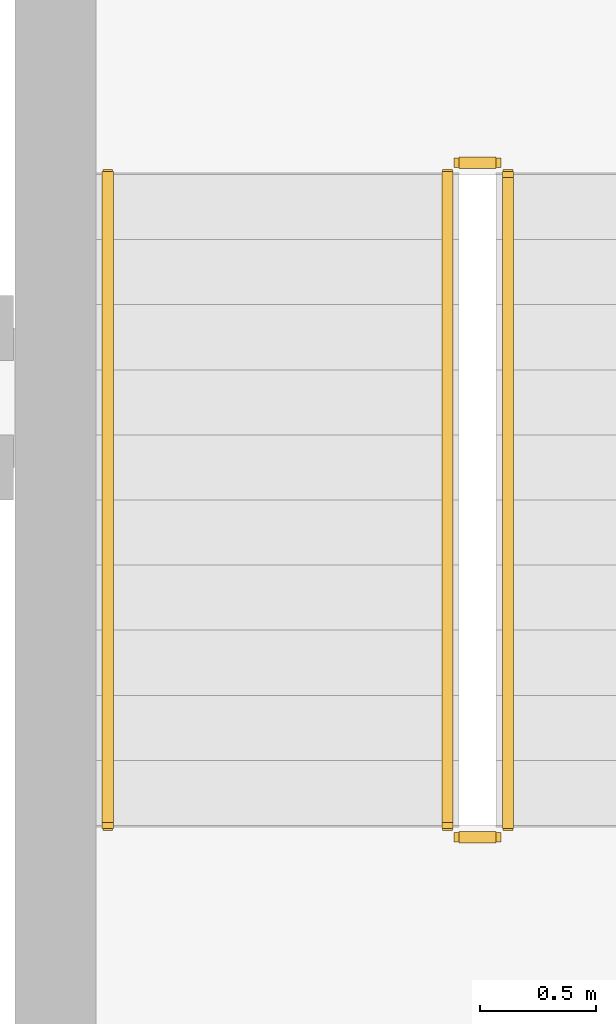
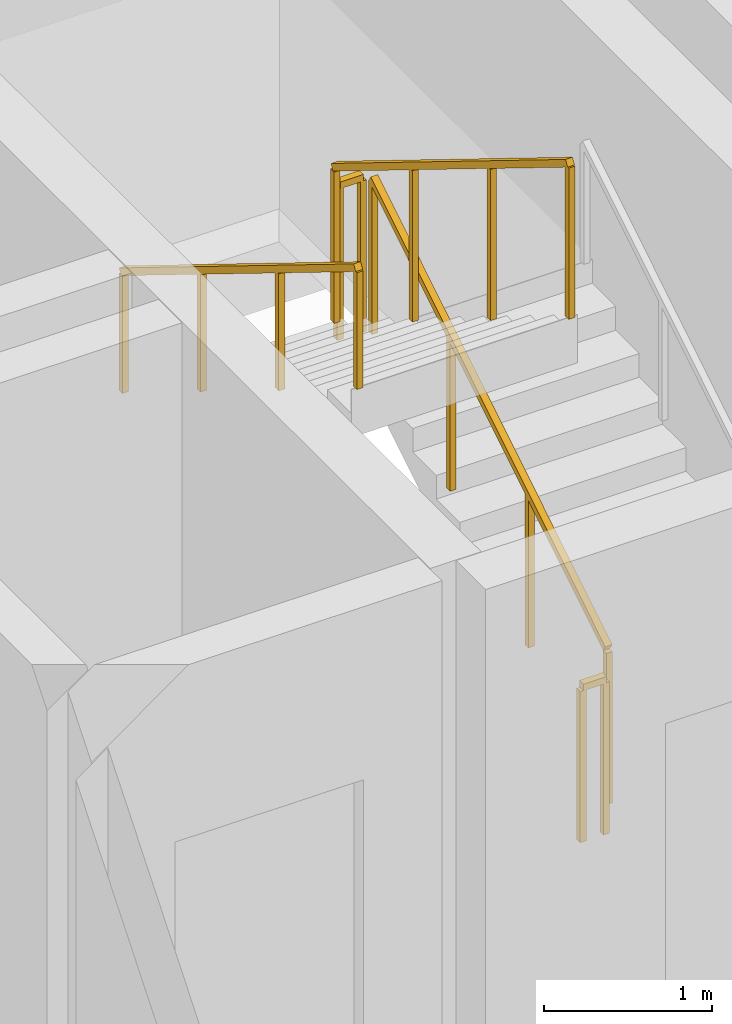
# One storey, part 13 of 14: 5 railings.
"""IFC4 building model written with IfcOpenShell, lengths in metres."""

import ifcopenshell
import ifcopenshell.guid

model = None  # the IFC model being written
_history = None  # IfcOwnerHistory: only IFC2X3 demands one
_inside = {}  # id of a spatial element -> (the spatial element, [elements in it])
_under = {}  # id of a project, library or spatial element -> (it, [spatial elements below it])
_declared = {}  # id of a project -> (the project, [libraries it declares])
_typed = {}  # id of a type object -> (the type object, [elements of that type])
_made_of = {}  # id of a material, layer set ... -> (it, [elements and type objects made of it])


def new_model(schema):
    """Start an empty IFC model of exactly this schema.

    Asked for "IFC4X3", IfcOpenShell would pick the latest addendum, in which some entities
    have other attributes; the version numbers below select the first issue.
    IFC2X3 requires an IfcOwnerHistory on every rooted entity: one is made here for all.
    """
    global model, _history
    if schema == "IFC4X3":
        model = ifcopenshell.file(schema_version=(4, 3, 0, 0))
    else:
        model = ifcopenshell.file(schema=schema)
    _inside.clear()
    _under.clear()
    _declared.clear()
    _typed.clear()
    _made_of.clear()
    _history = None
    if model.schema == "IFC2X3":
        org = make("IfcOrganization", Name="unknown")
        user = make(
            "IfcPersonAndOrganization",
            ThePerson=make("IfcPerson", FamilyName="unknown"),
            TheOrganization=org,
        )
        app = make(
            "IfcApplication",
            ApplicationDeveloper=org,
            Version="unknown",
            ApplicationFullName="unknown",
            ApplicationIdentifier="unknown",
        )
        _history = make(
            "IfcOwnerHistory",
            OwningUser=user,
            OwningApplication=app,
            ChangeAction="ADDED",
            CreationDate=0,
        )
    return model


def make(cls, **values):
    """One entity of the class cls with the attributes given. An attribute that is None is left unset."""
    return model.create_entity(
        cls, **{name: value for name, value in values.items() if value is not None}
    )


def rooted(cls, **values):
    """An entity with a GlobalId (a new one), such as an element, a storey or a relation."""
    return make(cls, GlobalId=ifcopenshell.guid.new(), OwnerHistory=_history, **values)


def si_unit(unit_type, name, prefix=None):
    """IfcSIUnit, for example si_unit("LENGTHUNIT", "METRE", prefix="MILLI")."""
    return make("IfcSIUnit", UnitType=unit_type, Prefix=prefix, Name=name)


def assignment(units):
    """IfcUnitAssignment: the units of a project."""
    return None if units is None else make("IfcUnitAssignment", Units=units)


def point(xyz):
    """IfcCartesianPoint."""
    return None if xyz is None else make("IfcCartesianPoint", Coordinates=xyz)


def direction(xyz):
    """IfcDirection."""
    return None if xyz is None else make("IfcDirection", DirectionRatios=xyz)


def frame(location, z_axis=None, x_axis=None):
    """IfcAxis2Placement3D, a coordinate frame: its origin and axes. An axis left out is left unset."""
    return make(
        "IfcAxis2Placement3D",
        Location=point(location),
        Axis=direction(z_axis),
        RefDirection=direction(x_axis),
    )


def frame_2d(location, x_axis=None):
    """IfcAxis2Placement2D, a coordinate frame in the plane: its origin and x axis."""
    return make(
        "IfcAxis2Placement2D", Location=point(location), RefDirection=direction(x_axis)
    )


def origin():
    """The frame at (0, 0, 0) with its axes left unset."""
    return frame((0.0, 0.0, 0.0))


def origin_2d():
    """The frame at (0, 0) in the plane with its x axis left unset."""
    return frame_2d((0.0, 0.0))


def place(relative_to, where):
    """IfcLocalPlacement: puts the frame where relative to a parent placement (None: the world)."""
    return make(
        "IfcLocalPlacement", PlacementRelTo=relative_to, RelativePlacement=where
    )


def context(
    kind, dimensions, precision=None, world=None, true_north=None, identifier=None
):
    """IfcGeometricRepresentationContext, for example the 3D "Model" context."""
    return make(
        "IfcGeometricRepresentationContext",
        ContextIdentifier=identifier,
        ContextType=kind,
        CoordinateSpaceDimension=dimensions,
        Precision=precision,
        WorldCoordinateSystem=world,
        TrueNorth=true_north,
    )


def subcontext(parent, identifier, kind, view, scale=None):
    """IfcGeometricRepresentationSubContext, for example "Body" below "Model"."""
    return make(
        "IfcGeometricRepresentationSubContext",
        ContextIdentifier=identifier,
        ContextType=kind,
        ParentContext=parent,
        TargetScale=scale,
        TargetView=view,
    )


def project(units=None, contexts=None):
    """IfcProject with its units and contexts."""
    return rooted(
        "IfcProject",
        Name="project",
        RepresentationContexts=contexts,
        UnitsInContext=assignment(units),
    )


def spatial(cls, under=None, at=None, **own):
    """A site, building, storey or space (cls), placed at a placement, below another one or the project."""
    s = rooted(cls, ObjectPlacement=at, **own)
    if under is not None:
        _under.setdefault(under.id(), (under, []))[1].append(s)
    return s


def profile(cls, at=None, kind="AREA", **sizes):
    """A parametric profile (cls). Its sizes go by their IFC names, for example OverallWidth=200.0."""
    return make(cls, ProfileType=kind, Position=at, **sizes)


def rectangle(**sizes):
    """IfcRectangleProfileDef."""
    return profile("IfcRectangleProfileDef", **sizes)


def extrude(swept, where, along, depth):
    """IfcExtrudedAreaSolid: the profile swept, set in the frame where, extruded along a direction by depth."""
    return make(
        "IfcExtrudedAreaSolid",
        SweptArea=swept,
        Position=where,
        ExtrudedDirection=direction(along),
        Depth=depth,
    )


def shape(context_of_items, identifier, shape_type, items):
    """IfcShapeRepresentation: the items that make up one representation, for example the "Body"."""
    return make(
        "IfcShapeRepresentation",
        ContextOfItems=context_of_items,
        RepresentationIdentifier=identifier,
        RepresentationType=shape_type,
        Items=items,
    )


def material(Name=None, Category=None):
    """IfcMaterial."""
    return make("IfcMaterial", Name=Name, Category=Category)


def made_of(thing, what):
    """Note that an element or type object is made of a material, layer set ...; save() writes the relation."""
    if what is not None:
        _made_of.setdefault(what.id(), (what, []))[1].append(thing)
    return thing


def type_object(cls, material=None, **own):
    """A type object (cls), such as IfcWallType, which elements share."""
    return made_of(rooted(cls, **own), material)


def element(
    cls,
    number,
    at=None,
    inside=None,
    cuts=None,
    type_object=None,
    material=None,
    context=None,
    identifier="Body",
    shape_type=None,
    held_by="IfcProductDefinitionShape",
    body=None,
    shapes=None,
    **own,
):
    """One element of the class cls, such as IfcWall. Its Tag is "e" and its number.

    at: its placement. inside: the storey or other place that contains it. cuts: it is an
    opening in that element (IfcRelVoidsElement). A single representation is given by context,
    identifier, shape_type and body (its items); several are given by shapes. held_by: the class
    of the entity that holds the representations. save() writes the other relations.
    """
    e = rooted(cls, Tag="e%d" % number, ObjectPlacement=at, **own)
    if body is not None:
        shapes = [shape(context, identifier, shape_type, body)]
    if shapes is not None:
        e.Representation = make(held_by, Representations=shapes)
    if inside is not None:
        _inside.setdefault(inside.id(), (inside, []))[1].append(e)
    if cuts is not None:
        rooted(
            "IfcRelVoidsElement", RelatingBuildingElement=cuts, RelatedOpeningElement=e
        )
    if type_object is not None:
        _typed.setdefault(type_object.id(), (type_object, []))[1].append(e)
    return made_of(e, material)


def aggregate(whole, parts):
    """IfcRelAggregates: a whole, such as a stair, and the parts it consists of."""
    return rooted("IfcRelAggregates", RelatingObject=whole, RelatedObjects=parts)


def save(model, path):
    """Write the relations noted so far, then the file.

    IfcRelAggregates (storeys below a building ...), IfcRelContainedInSpatialStructure (elements
    in a storey), IfcRelDefinesByType, IfcRelAssociatesMaterial and IfcRelDeclares: one each for
    every whole, place, type object, material and project.
    """
    for whole, parts in _under.values():
        aggregate(whole, parts)
    for where, things in _inside.values():
        rooted(
            "IfcRelContainedInSpatialStructure",
            RelatedElements=things,
            RelatingStructure=where,
        )
    for kind, things in _typed.values():
        rooted("IfcRelDefinesByType", RelatedObjects=things, RelatingType=kind)
    for what, things in _made_of.values():
        rooted("IfcRelAssociatesMaterial", RelatedObjects=things, RelatingMaterial=what)
    for by, libraries in _declared.values():
        rooted("IfcRelDeclares", RelatingContext=by, RelatedDefinitions=libraries)
    model.write(path)


model = new_model("IFC4")

# Units and contexts
model_context = context("Model", 3, precision=1e-05, world=origin(), true_north=direction((0.0, 1.0)))
body_context = subcontext(model_context, "Body", "Model", "MODEL_VIEW")
ifc_project = project(units=[si_unit("LENGTHUNIT", "METRE"), si_unit("AREAUNIT", "SQUARE_METRE"), si_unit("VOLUMEUNIT", "CUBIC_METRE"), si_unit("PLANEANGLEUNIT", "RADIAN"), si_unit("MASSUNIT", "GRAM", prefix="KILO")], contexts=[model_context])

# Site, building, storey
site_placement = place(None, origin())
site = spatial("IfcSite", under=ifc_project, at=site_placement, CompositionType="ELEMENT")
building_placement = place(site_placement, origin())
building = spatial("IfcBuilding", under=site, at=building_placement, Name="Kaelvorn Grand Hotel", CompositionType="ELEMENT")
storey_placement = place(building_placement, frame((0.0, 0.0, 216.75)))
storey = spatial("IfcBuildingStorey", under=building, at=storey_placement, Name="L53", CompositionType="ELEMENT", Elevation=216.75)

# Railings
ifc_material = material(Name="Stainless Steel", Category="steel")
railing_type_1 = type_object("IfcRailingType", Name="RL-HANDRAIL-900", PredefinedType="HANDRAIL", material=ifc_material)
railing_1_placement = place(storey_placement, frame((63.3701171875, 44.56005859375, 2.07275390625)))
element("IfcRailing", 1, at=railing_1_placement, inside=storey, type_object=railing_type_1, Name="L53 ST3 stair handrail 2", PredefinedType="HANDRAIL", context=body_context, shape_type="SweptSolid", body=[
    extrude(rectangle(XDim=0.048095703125, YDim=0.048095703125, at=origin_2d()), frame((0.0, 0.0, 0.8759765625), z_axis=(0.0, -0.851089632645, 0.525020415988), x_axis=(1.0, 0.0, 0.0)), (0.0, 0.0, 1.0), 3.2900390625),
    extrude(rectangle(XDim=0.0419921875, YDim=0.0419921875, at=origin_2d()), origin(), (0.0, 0.0, 1.0), 0.851806640625),
    extrude(rectangle(XDim=0.0419921875, YDim=0.0419921875, at=origin_2d()), frame((0.0, -0.933349609375, 0.57568359375)), (0.0, 0.0, 1.0), 0.851806640625),
    extrude(rectangle(XDim=0.0419921875, YDim=0.0419921875, at=origin_2d()), frame((0.0, -1.86669921875, 1.151611328125)), (0.0, 0.0, 1.0), 0.851806640625),
    extrude(rectangle(XDim=0.0419921875, YDim=0.0419921875, at=origin_2d()), frame((0.0, -2.800048828125, 1.727294921875)), (0.0, 0.0, 1.0), 0.851806640625),
])
railing_type_2 = type_object("IfcRailingType", Name="RL-STAIR-GUARD-1150", PredefinedType="BALUSTRADE", material=ifc_material)
railing_2_placement = place(storey_placement, frame((65.090087890625, 41.760009765625, 0.172607421875)))
element("IfcRailing", 2, at=railing_2_placement, inside=storey, type_object=railing_type_2, Name="L53 ST3 stair guard 1", PredefinedType="BALUSTRADE", context=body_context, shape_type="SweptSolid", body=[
    extrude(rectangle(XDim=0.048095703125, YDim=0.048095703125, at=origin_2d()), frame((0.0, 0.0, 1.1259765625), z_axis=(0.0, 0.851089632645, 0.525020415988), x_axis=(-1.0, 0.0, 0.0)), (0.0, 0.0, 1.0), 3.2900390625),
    extrude(rectangle(XDim=0.0419921875, YDim=0.0419921875, at=origin_2d()), origin(), (0.0, 0.0, 1.0), 1.101806640625),
    extrude(rectangle(XDim=0.0419921875, YDim=0.0419921875, at=origin_2d()), frame((0.0, 0.933349609375, 0.57568359375)), (0.0, 0.0, 1.0), 1.101806640625),
    extrude(rectangle(XDim=0.0419921875, YDim=0.0419921875, at=origin_2d()), frame((0.0, 1.86669921875, 1.151611328125)), (0.0, 0.0, 1.0), 1.101806640625),
    extrude(rectangle(XDim=0.0419921875, YDim=0.0419921875, at=origin_2d()), frame((0.0, 2.800048828125, 1.727294921875)), (0.0, 0.0, 1.0), 1.101806640625),
])
railing_3_placement = place(storey_placement, frame((65.0400390625, 44.610107421875, 1.89990234375)))
element("IfcRailing", 3, at=railing_3_placement, inside=storey, type_object=railing_type_2, Name="L53 ST3 stair guard 2", PredefinedType="BALUSTRADE", context=body_context, shape_type="SweptSolid", body=[
    extrude(rectangle(XDim=0.048095703125, YDim=0.048095703125, at=origin_2d()), frame((0.0, 0.0, 1.1259765625), z_axis=(-1.0, 0.0, 0.0), x_axis=(0.0, -1.0, 0.0)), (0.0, 0.0, 1.0), 0.16015625),
    extrude(rectangle(XDim=0.0419921875, YDim=0.0419921875, at=origin_2d()), origin(), (0.0, 0.0, 1.0), 1.101806640625),
    extrude(rectangle(XDim=0.0419921875, YDim=0.0419921875, at=origin_2d()), frame((-0.16015625, 0.0, 0.0)), (0.0, 0.0, 1.0), 1.101806640625),
])
railing_4_placement = place(storey_placement, frame((64.830078125, 44.56005859375, 2.07275390625)))
element("IfcRailing", 4, at=railing_4_placement, inside=storey, type_object=railing_type_2, Name="L53 ST3 stair guard 3", PredefinedType="BALUSTRADE", context=body_context, shape_type="SweptSolid", body=[
    extrude(rectangle(XDim=0.048095703125, YDim=0.048095703125, at=origin_2d()), frame((0.0, 0.0, 1.1259765625), z_axis=(0.0, -0.851089632645, 0.525020415988), x_axis=(1.0, 0.0, 0.0)), (0.0, 0.0, 1.0), 3.2900390625),
    extrude(rectangle(XDim=0.0419921875, YDim=0.0419921875, at=origin_2d()), origin(), (0.0, 0.0, 1.0), 1.101806640625),
    extrude(rectangle(XDim=0.0419921875, YDim=0.0419921875, at=origin_2d()), frame((0.0, -0.933349609375, 0.57568359375)), (0.0, 0.0, 1.0), 1.101806640625),
    extrude(rectangle(XDim=0.0419921875, YDim=0.0419921875, at=origin_2d()), frame((0.0, -1.86669921875, 1.151611328125)), (0.0, 0.0, 1.0), 1.101806640625),
    extrude(rectangle(XDim=0.0419921875, YDim=0.0419921875, at=origin_2d()), frame((0.0, -2.800048828125, 1.727294921875)), (0.0, 0.0, 1.0), 1.101806640625),
])
railing_5_placement = place(storey_placement, frame((65.0400390625, 41.7099609375, 0.0)))
element("IfcRailing", 5, at=railing_5_placement, inside=storey, type_object=railing_type_2, Name="L53 ST3 stair guard 4", PredefinedType="BALUSTRADE", context=body_context, shape_type="SweptSolid", body=[
    extrude(rectangle(XDim=0.048095703125, YDim=0.048095703125, at=origin_2d()), frame((0.0, 0.0, 1.1259765625), z_axis=(-1.0, 0.0, 0.0), x_axis=(0.0, -1.0, 0.0)), (0.0, 0.0, 1.0), 0.16015625),
    extrude(rectangle(XDim=0.0419921875, YDim=0.0419921875, at=origin_2d()), origin(), (0.0, 0.0, 1.0), 1.101806640625),
    extrude(rectangle(XDim=0.0419921875, YDim=0.0419921875, at=origin_2d()), frame((-0.16015625, 0.0, 0.0)), (0.0, 0.0, 1.0), 1.101806640625),
])

save(model, "model.ifc")
